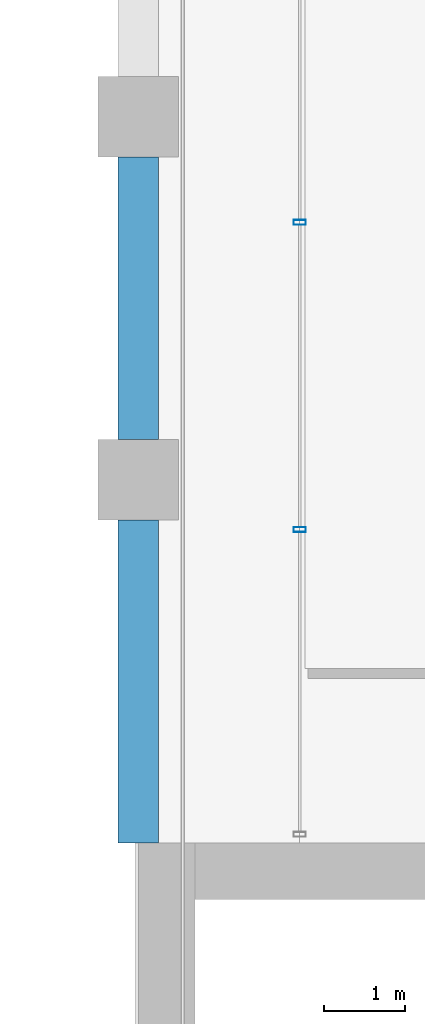
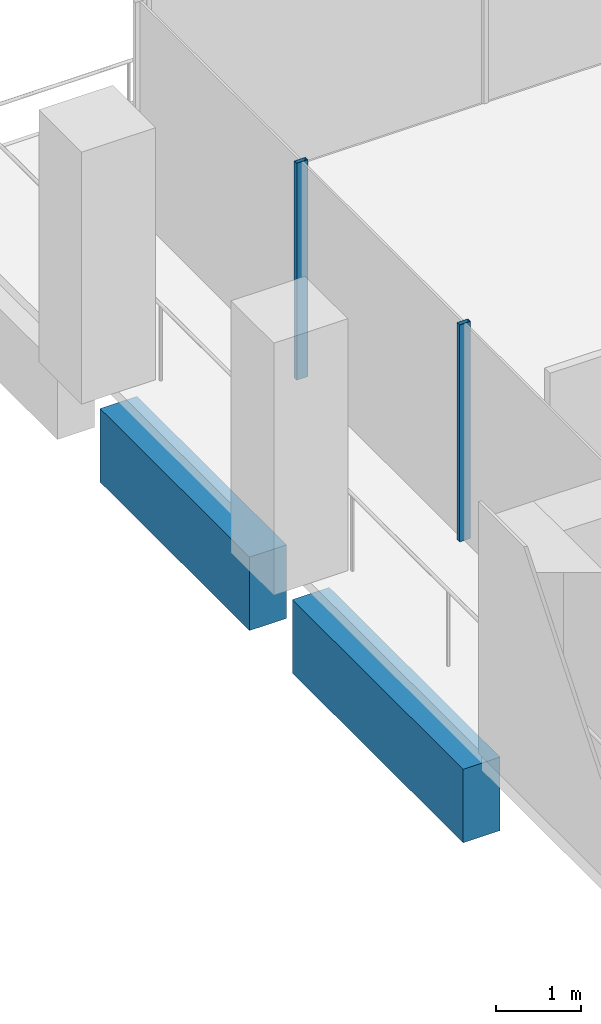
# One storey, part 20 of 46: 2 beams, 2 members, 1 element without a shape of its own.
"""IFC4 building model written with IfcOpenShell, lengths in metres."""

import ifcopenshell
import ifcopenshell.guid

model = None  # the IFC model being written
_history = None  # IfcOwnerHistory: only IFC2X3 demands one
_inside = {}  # id of a spatial element -> (the spatial element, [elements in it])
_under = {}  # id of a project, library or spatial element -> (it, [spatial elements below it])
_declared = {}  # id of a project -> (the project, [libraries it declares])
_typed = {}  # id of a type object -> (the type object, [elements of that type])
_made_of = {}  # id of a material, layer set ... -> (it, [elements and type objects made of it])


def new_model(schema):
    """Start an empty IFC model of exactly this schema.

    Asked for "IFC4X3", IfcOpenShell would pick the latest addendum, in which some entities
    have other attributes; the version numbers below select the first issue.
    IFC2X3 requires an IfcOwnerHistory on every rooted entity: one is made here for all.
    """
    global model, _history
    if schema == "IFC4X3":
        model = ifcopenshell.file(schema_version=(4, 3, 0, 0))
    else:
        model = ifcopenshell.file(schema=schema)
    _inside.clear()
    _under.clear()
    _declared.clear()
    _typed.clear()
    _made_of.clear()
    _history = None
    if model.schema == "IFC2X3":
        org = make("IfcOrganization", Name="unknown")
        user = make(
            "IfcPersonAndOrganization",
            ThePerson=make("IfcPerson", FamilyName="unknown"),
            TheOrganization=org,
        )
        app = make(
            "IfcApplication",
            ApplicationDeveloper=org,
            Version="unknown",
            ApplicationFullName="unknown",
            ApplicationIdentifier="unknown",
        )
        _history = make(
            "IfcOwnerHistory",
            OwningUser=user,
            OwningApplication=app,
            ChangeAction="ADDED",
            CreationDate=0,
        )
    return model


def make(cls, **values):
    """One entity of the class cls with the attributes given. An attribute that is None is left unset."""
    return model.create_entity(
        cls, **{name: value for name, value in values.items() if value is not None}
    )


def rooted(cls, **values):
    """An entity with a GlobalId (a new one), such as an element, a storey or a relation."""
    return make(cls, GlobalId=ifcopenshell.guid.new(), OwnerHistory=_history, **values)


def si_unit(unit_type, name, prefix=None):
    """IfcSIUnit, for example si_unit("LENGTHUNIT", "METRE", prefix="MILLI")."""
    return make("IfcSIUnit", UnitType=unit_type, Prefix=prefix, Name=name)


def assignment(units):
    """IfcUnitAssignment: the units of a project."""
    return None if units is None else make("IfcUnitAssignment", Units=units)


def point(xyz):
    """IfcCartesianPoint."""
    return None if xyz is None else make("IfcCartesianPoint", Coordinates=xyz)


def direction(xyz):
    """IfcDirection."""
    return None if xyz is None else make("IfcDirection", DirectionRatios=xyz)


def frame(location, z_axis=None, x_axis=None):
    """IfcAxis2Placement3D, a coordinate frame: its origin and axes. An axis left out is left unset."""
    return make(
        "IfcAxis2Placement3D",
        Location=point(location),
        Axis=direction(z_axis),
        RefDirection=direction(x_axis),
    )


def frame_2d(location, x_axis=None):
    """IfcAxis2Placement2D, a coordinate frame in the plane: its origin and x axis."""
    return make(
        "IfcAxis2Placement2D", Location=point(location), RefDirection=direction(x_axis)
    )


def origin():
    """The frame at (0, 0, 0) with its axes left unset."""
    return frame((0.0, 0.0, 0.0))


def origin_2d():
    """The frame at (0, 0) in the plane with its x axis left unset."""
    return frame_2d((0.0, 0.0))


def place(relative_to, where):
    """IfcLocalPlacement: puts the frame where relative to a parent placement (None: the world)."""
    return make(
        "IfcLocalPlacement", PlacementRelTo=relative_to, RelativePlacement=where
    )


def context(
    kind, dimensions, precision=None, world=None, true_north=None, identifier=None
):
    """IfcGeometricRepresentationContext, for example the 3D "Model" context."""
    return make(
        "IfcGeometricRepresentationContext",
        ContextIdentifier=identifier,
        ContextType=kind,
        CoordinateSpaceDimension=dimensions,
        Precision=precision,
        WorldCoordinateSystem=world,
        TrueNorth=true_north,
    )


def subcontext(parent, identifier, kind, view, scale=None):
    """IfcGeometricRepresentationSubContext, for example "Body" below "Model"."""
    return make(
        "IfcGeometricRepresentationSubContext",
        ContextIdentifier=identifier,
        ContextType=kind,
        ParentContext=parent,
        TargetScale=scale,
        TargetView=view,
    )


def project(units=None, contexts=None):
    """IfcProject with its units and contexts."""
    return rooted(
        "IfcProject",
        Name="project",
        RepresentationContexts=contexts,
        UnitsInContext=assignment(units),
    )


def spatial(cls, under=None, at=None, **own):
    """A site, building, storey or space (cls), placed at a placement, below another one or the project."""
    s = rooted(cls, ObjectPlacement=at, **own)
    if under is not None:
        _under.setdefault(under.id(), (under, []))[1].append(s)
    return s


def profile(cls, at=None, kind="AREA", **sizes):
    """A parametric profile (cls). Its sizes go by their IFC names, for example OverallWidth=200.0."""
    return make(cls, ProfileType=kind, Position=at, **sizes)


def rectangle(**sizes):
    """IfcRectangleProfileDef."""
    return profile("IfcRectangleProfileDef", **sizes)


def hollow_rectangle(**sizes):
    """IfcRectangleHollowProfileDef."""
    return profile("IfcRectangleHollowProfileDef", **sizes)


def extrude(swept, where, along, depth):
    """IfcExtrudedAreaSolid: the profile swept, set in the frame where, extruded along a direction by depth."""
    return make(
        "IfcExtrudedAreaSolid",
        SweptArea=swept,
        Position=where,
        ExtrudedDirection=direction(along),
        Depth=depth,
    )


def shape(context_of_items, identifier, shape_type, items):
    """IfcShapeRepresentation: the items that make up one representation, for example the "Body"."""
    return make(
        "IfcShapeRepresentation",
        ContextOfItems=context_of_items,
        RepresentationIdentifier=identifier,
        RepresentationType=shape_type,
        Items=items,
    )


def material(Name=None, Category=None):
    """IfcMaterial."""
    return make("IfcMaterial", Name=Name, Category=Category)


def material_profile(
    of_material, cross_section, Name=None, Category=None, Priority=None
):
    """IfcMaterialProfile: a cross section and its material."""
    return make(
        "IfcMaterialProfile",
        Name=Name,
        Material=of_material,
        Profile=cross_section,
        Priority=Priority,
        Category=Category,
    )


def profile_set(profiles, Name=None, composite=None):
    """IfcMaterialProfileSet."""
    return make(
        "IfcMaterialProfileSet",
        Name=Name,
        MaterialProfiles=profiles,
        CompositeProfile=composite,
    )


def made_of(thing, what):
    """Note that an element or type object is made of a material, layer set ...; save() writes the relation."""
    if what is not None:
        _made_of.setdefault(what.id(), (what, []))[1].append(thing)
    return thing


def type_object(cls, material=None, **own):
    """A type object (cls), such as IfcWallType, which elements share."""
    return made_of(rooted(cls, **own), material)


def element(
    cls,
    number,
    at=None,
    inside=None,
    cuts=None,
    type_object=None,
    material=None,
    context=None,
    identifier="Body",
    shape_type=None,
    held_by="IfcProductDefinitionShape",
    body=None,
    shapes=None,
    **own,
):
    """One element of the class cls, such as IfcWall. Its Tag is "e" and its number.

    at: its placement. inside: the storey or other place that contains it. cuts: it is an
    opening in that element (IfcRelVoidsElement). A single representation is given by context,
    identifier, shape_type and body (its items); several are given by shapes. held_by: the class
    of the entity that holds the representations. save() writes the other relations.
    """
    e = rooted(cls, Tag="e%d" % number, ObjectPlacement=at, **own)
    if body is not None:
        shapes = [shape(context, identifier, shape_type, body)]
    if shapes is not None:
        e.Representation = make(held_by, Representations=shapes)
    if inside is not None:
        _inside.setdefault(inside.id(), (inside, []))[1].append(e)
    if cuts is not None:
        rooted(
            "IfcRelVoidsElement", RelatingBuildingElement=cuts, RelatedOpeningElement=e
        )
    if type_object is not None:
        _typed.setdefault(type_object.id(), (type_object, []))[1].append(e)
    return made_of(e, material)


def aggregate(whole, parts):
    """IfcRelAggregates: a whole, such as a stair, and the parts it consists of."""
    return rooted("IfcRelAggregates", RelatingObject=whole, RelatedObjects=parts)


def save(model, path):
    """Write the relations noted so far, then the file.

    IfcRelAggregates (storeys below a building ...), IfcRelContainedInSpatialStructure (elements
    in a storey), IfcRelDefinesByType, IfcRelAssociatesMaterial and IfcRelDeclares: one each for
    every whole, place, type object, material and project.
    """
    for whole, parts in _under.values():
        aggregate(whole, parts)
    for where, things in _inside.values():
        rooted(
            "IfcRelContainedInSpatialStructure",
            RelatedElements=things,
            RelatingStructure=where,
        )
    for kind, things in _typed.values():
        rooted("IfcRelDefinesByType", RelatedObjects=things, RelatingType=kind)
    for what, things in _made_of.values():
        rooted("IfcRelAssociatesMaterial", RelatedObjects=things, RelatingMaterial=what)
    for by, libraries in _declared.values():
        rooted("IfcRelDeclares", RelatingContext=by, RelatedDefinitions=libraries)
    model.write(path)


model = new_model("IFC4")

# Units and contexts
model_context = context("Model", 3, precision=1e-05, world=origin(), true_north=direction((0.0, 1.0)))
body_context = subcontext(model_context, "Body", "Model", "MODEL_VIEW")
ifc_project = project(units=[si_unit("LENGTHUNIT", "METRE"), si_unit("AREAUNIT", "SQUARE_METRE"), si_unit("VOLUMEUNIT", "CUBIC_METRE"), si_unit("PLANEANGLEUNIT", "RADIAN"), si_unit("MASSUNIT", "GRAM", prefix="KILO")], contexts=[model_context])

# Site, building, storey
site_placement = place(None, origin())
site = spatial("IfcSite", under=ifc_project, at=site_placement, CompositionType="ELEMENT")
building_placement = place(site_placement, origin())
building = spatial("IfcBuilding", under=site, at=building_placement, Name="Altepetl Exchange Towers", CompositionType="ELEMENT")
storey_placement = place(building_placement, frame((0.0, 0.0, 124.39990234375)))
storey = spatial("IfcBuildingStorey", under=building, at=storey_placement, Name="L30", CompositionType="ELEMENT", Elevation=124.39990234375)

# Curtain wall, members
ifc_material_1 = material(Name="Aluminium 6063-T6 glazing", Category="aluminium")
curtain_wall_type = type_object("IfcCurtainWallType", Name="Loggia glazing system", PredefinedType="NOTDEFINED", material=ifc_material_1)
curtain_wall_placement = place(storey_placement, origin())
curtain_wall = element("IfcCurtainWall", 1, at=curtain_wall_placement, inside=storey, type_object=curtain_wall_type, Name="CW1 run", PredefinedType="NOTDEFINED")
ifc_material_2 = material(Name="Aluminium 6063-T6", Category="aluminium")
ifc_material_profile_1 = material_profile(ifc_material_2, hollow_rectangle(XDim=0.06005859375, YDim=0.14990234375, WallThickness=0.0029296875, at=origin_2d()), Name="Mullion 60x150 aluminium")
ifc_profile_set_1 = profile_set([ifc_material_profile_1], Name="Aluminium 6063-T6")
member_type = type_object("IfcMemberType", Name="Mullion 60x150 aluminium", PredefinedType="MULLION", material=ifc_profile_set_1)
member_1_placement = place(storey_placement, frame((42.5, 66.191650390625, 0.0), z_axis=(0.0, 0.0, 1.0), x_axis=(0.0, -1.0, 0.0)))
member_1 = element("IfcMember", 2, at=member_1_placement, type_object=member_type, Name="MU1 mullion", PredefinedType="MULLION", context=body_context, shape_type="SweptSolid", body=[
    extrude(hollow_rectangle(XDim=0.06005859375, YDim=0.14990234375, WallThickness=0.0029296875, at=origin_2d()), origin(), (0.0, 0.0, 1.0), 3.10009765625),
])
member_2_placement = place(storey_placement, frame((42.5, 62.38330078125, 0.0), z_axis=(0.0, 0.0, 1.0), x_axis=(0.0, -1.0, 0.0)))
member_2 = element("IfcMember", 3, at=member_2_placement, type_object=member_type, Name="MU1 mullion", PredefinedType="MULLION", context=body_context, shape_type="SweptSolid", body=[
    extrude(hollow_rectangle(XDim=0.06005859375, YDim=0.14990234375, WallThickness=0.0029296875, at=origin_2d()), origin(), (0.0, 0.0, 1.0), 3.10009765625),
])
aggregate(curtain_wall, [member_1, member_2])

# Beams
ifc_material_3 = material(Name="Concrete C50/60 precast with tezontle facing", Category="concrete")
ifc_material_profile_2 = material_profile(ifc_material_3, rectangle(XDim=0.5, YDim=1.050048828125, at=origin_2d()), Name="500 x 1050")
ifc_profile_set_2 = profile_set([ifc_material_profile_2], Name="Concrete C50/60 precast with tezontle facing")
beam_type = type_object("IfcBeamType", Name="Spandrel beam 500x1050 tezontle", PredefinedType="SPANDREL", material=ifc_profile_set_2)
beam_1_placement = place(storey_placement, frame((40.5, 67.0, -0.6748046875), z_axis=(0.0, -1.0, 0.0), x_axis=(1.0, 0.0, 0.0)))
element("IfcBeam", 4, at=beam_1_placement, inside=storey, type_object=beam_type, Name="sp:A:L30:031", PredefinedType="SPANDREL", context=body_context, shape_type="SweptSolid", body=[
    extrude(rectangle(XDim=0.5, YDim=1.050048828125, at=origin_2d()), origin(), (0.0, 0.0, 1.0), 3.5),
])
beam_2_placement = place(storey_placement, frame((40.5, 62.5, -0.6748046875), z_axis=(0.0, -1.0, 0.0), x_axis=(1.0, 0.0, 0.0)))
element("IfcBeam", 5, at=beam_2_placement, inside=storey, type_object=beam_type, Name="sp:A:L30:032", PredefinedType="SPANDREL", context=body_context, shape_type="SweptSolid", body=[
    extrude(rectangle(XDim=0.5, YDim=1.050048828125, at=origin_2d()), origin(), (0.0, 0.0, 1.0), 4.0),
])

save(model, "model.ifc")
